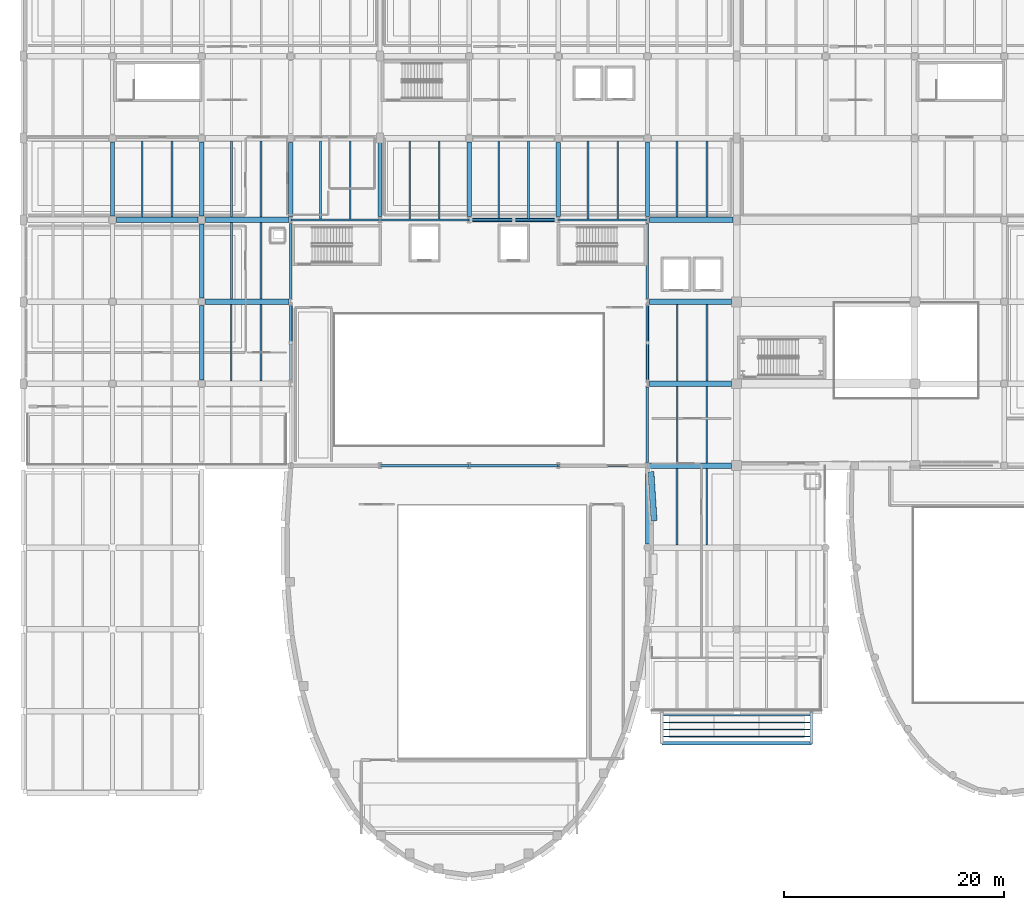
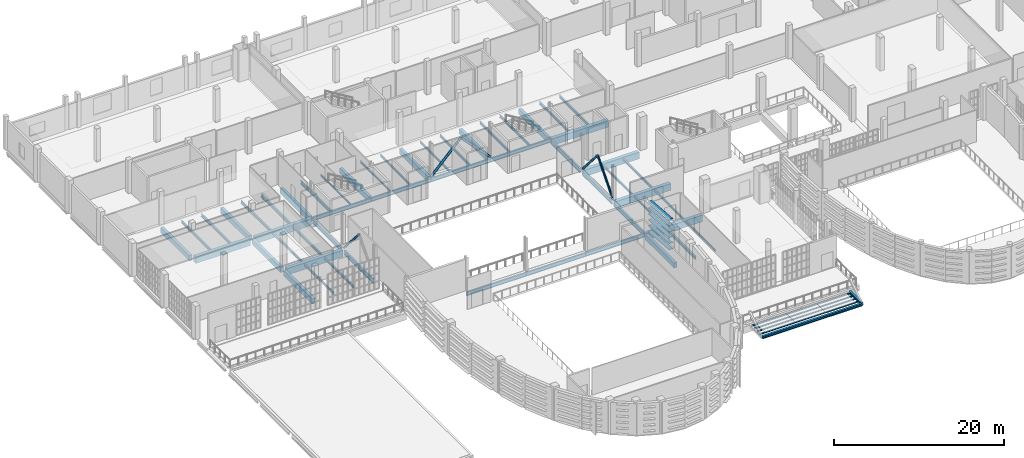
# One storey, part 21 of 104: 55 beams, 15 members.
"""IFC4 building model written with IfcOpenShell, lengths in metres."""

from ifc_helpers import new_model, si_unit, direction, frame, origin, origin_2d, place, context, subcontext, project, spatial, rectangle, hollow_rectangle, hollow_circle, i_section, extrude, material, material_profile, profile_set, type_object, element, save


model = new_model("IFC4")

# Units and contexts
model_context = context("Model", 3, precision=1e-05, world=origin(), true_north=direction((0.0, 1.0)))
body_context = subcontext(model_context, "Body", "Model", "MODEL_VIEW")
ifc_project = project(units=[si_unit("LENGTHUNIT", "METRE"), si_unit("AREAUNIT", "SQUARE_METRE"), si_unit("VOLUMEUNIT", "CUBIC_METRE"), si_unit("PLANEANGLEUNIT", "RADIAN"), si_unit("MASSUNIT", "GRAM", prefix="KILO")], contexts=[model_context])

# Site, building, storey
site_placement = place(None, origin())
site = spatial("IfcSite", under=ifc_project, at=site_placement, CompositionType="ELEMENT")
building_placement = place(site_placement, origin())
building = spatial("IfcBuilding", under=site, at=building_placement, Name="Kaelora Sail Theatre", CompositionType="ELEMENT")
storey_placement = place(building_placement, frame((0.0, 0.0, 5.39990234375)))
storey = spatial("IfcBuildingStorey", under=building, at=storey_placement, Name="L01", CompositionType="ELEMENT", Elevation=5.39990234375)

# Members
ifc_material_1 = material(Name="Anodised aluminium 6063-T6", Category="aluminium")
ifc_material_profile_1 = material_profile(ifc_material_1, hollow_rectangle(XDim=0.550048828125, YDim=0.06494140625, WallThickness=0.00390625, InnerFilletRadius=0.00390625, OuterFilletRadius=0.008056640625, at=origin_2d()), Name="LOUVRE 550x65x4")
ifc_profile_set_1 = profile_set([ifc_material_profile_1], Name="Anodised aluminium 6063-T6")
member_type_1 = type_object("IfcMemberType", Name="ARC-MEM-LVR-300", PredefinedType="USERDEFINED", material=ifc_profile_set_1)
for number, where, z_axis, x_axis, name in (
    (1, (58.51611328125, 60.47021484375, 0.150146484375), (0.064492796424, -0.997918172602, 0.0), (0.997918172602, 0.064492796424, 0.0), "Main Theatre Sail Drum horizontal solar louvre C1-06"),
    (2, (58.51611328125, 60.47021484375, 1.010009765625), (0.064492796424, -0.997918172602, 0.0), (0.997918172602, 0.064492796424, 0.0), "Main Theatre Sail Drum horizontal solar louvre C1-07"),
    (3, (58.51611328125, 60.47021484375, 1.8701171875), (0.064492796424, -0.997918172602, 0.0), (0.997918172602, 0.064492796424, 0.0), "Main Theatre Sail Drum horizontal solar louvre C1-08"),
    (4, (58.51611328125, 60.47021484375, 2.72998046875), (0.064492796424, -0.997918172602, 0.0), (0.997918172602, 0.064492796424, 0.0), "Main Theatre Sail Drum horizontal solar louvre C1-09"),
    (5, (58.51611328125, 60.47021484375, 3.590087890625), (0.064492796424, -0.997918172602, 0.0), (0.997918172602, 0.064492796424, 0.0), "Main Theatre Sail Drum horizontal solar louvre C1-10"),
    (6, (58.51611328125, 60.47021484375, 4.4501953125), (0.064492796424, -0.997918172602, 0.0), (0.997918172602, 0.064492796424, 0.0), "Main Theatre Sail Drum horizontal solar louvre C1-11"),
):
    element("IfcMember", number, at=place(storey_placement, frame(where, z_axis=z_axis, x_axis=x_axis)), inside=storey, type_object=member_type_1, Name=name, ObjectType="LOUVRE", PredefinedType="USERDEFINED", context=body_context, shape_type="SweptSolid", body=[
        extrude(hollow_rectangle(XDim=0.550048828125, YDim=0.06494140625, WallThickness=0.00390625, InnerFilletRadius=0.00390625, OuterFilletRadius=0.008056640625, at=origin_2d()), origin(), (0.0, 0.0, 1.0), 4.470703125),
    ])

# Beams
ifc_material_2 = material(Name="Steel S355", Category="steel")
ifc_material_profile_2 = material_profile(ifc_material_2, i_section(OverallWidth=0.300048828125, OverallDepth=0.35009765625, WebThickness=0.010009765625, FlangeThickness=0.017578125, FilletRadius=0.027099609375, at=origin_2d()), Name="HEA 360")
ifc_profile_set_2 = profile_set([ifc_material_profile_2], Name="Steel S355")
beam_type_1 = type_object("IfcBeamType", Name="STR-BM-BM-HEA360", PredefinedType="USERDEFINED", material=ifc_profile_set_2)
beam_1_placement = place(storey_placement, frame((59.5, 35.800048828125, -0.469970703125), z_axis=(1.0, 0.0, 0.0), x_axis=(0.0, 1.0, 0.0)))
element("IfcBeam", 7, at=beam_1_placement, inside=storey, type_object=beam_type_1, Name="Entrance canopy front fascia girder", ObjectType="GIRDER", PredefinedType="USERDEFINED", context=body_context, shape_type="SweptSolid", body=[
    extrude(i_section(OverallWidth=0.300048828125, OverallDepth=0.35009765625, WebThickness=0.010009765625, FlangeThickness=0.017578125, FilletRadius=0.027099609375, at=origin_2d()), origin(), (0.0, 0.0, 1.0), 13.60009765625),
])
beam_2_placement = place(storey_placement, frame((73.10009765625, 35.800048828125, -0.469970703125), z_axis=(0.0, 1.0, 0.0), x_axis=(-1.0, 0.0, 0.0)))
element("IfcBeam", 8, at=beam_2_placement, inside=storey, type_object=beam_type_1, Name="Entrance canopy side girder E", ObjectType="GIRDER", PredefinedType="USERDEFINED", context=body_context, shape_type="SweptSolid", body=[
    extrude(i_section(OverallWidth=0.300048828125, OverallDepth=0.35009765625, WebThickness=0.010009765625, FlangeThickness=0.017578125, FilletRadius=0.027099609375, at=origin_2d()), origin(), (0.0, 0.0, 1.0), 2.89990234375),
])
ifc_material_3 = material(Name="Steel S355", Category="steel")
ifc_material_profile_3 = material_profile(ifc_material_3, i_section(OverallWidth=0.18994140625, OverallDepth=0.449951171875, WebThickness=0.009521484375, FlangeThickness=0.0146484375, FilletRadius=0.02099609375, at=origin_2d()), Name="IPE 450")
ifc_profile_set_3 = profile_set([ifc_material_profile_3], Name="Steel S355")
beam_type_2 = type_object("IfcBeamType", Name="STR-BM-BM-IPE450", PredefinedType="BEAM", material=ifc_profile_set_3)
beam_3_placement = place(storey_placement, frame((23.10009765625, 83.590087890625, -0.52001953125), z_axis=(0.0, 1.0, 0.0), x_axis=(-1.0, 0.0, 0.0)))
element("IfcBeam", 9, at=beam_3_placement, inside=storey, type_object=beam_type_2, Name="Secondary floor joist 3/L-2 (L01)", PredefinedType="BEAM", context=body_context, shape_type="SweptSolid", body=[
    extrude(i_section(OverallWidth=0.18994140625, OverallDepth=0.449951171875, WebThickness=0.009521484375, FlangeThickness=0.0146484375, FilletRadius=0.02099609375, at=origin_2d()), origin(), (0.0, 0.0, 1.0), 6.93994140625),
])
beam_4_placement = place(storey_placement, frame((28.5, 83.445068359375, -0.52001953125), z_axis=(0.0, 1.0, 0.0), x_axis=(-1.0, 0.0, 0.0)))
element("IfcBeam", 10, at=beam_4_placement, inside=storey, type_object=beam_type_2, Name="Secondary floor joist 4/L-1 (L01)", PredefinedType="BEAM", context=body_context, shape_type="SweptSolid", body=[
    extrude(i_section(OverallWidth=0.18994140625, OverallDepth=0.449951171875, WebThickness=0.009521484375, FlangeThickness=0.0146484375, FilletRadius=0.02099609375, at=origin_2d()), origin(), (0.0, 0.0, 1.0), 7.0849609375),
])
beam_5_placement = place(storey_placement, frame((60.89990234375, 53.830078125, -0.52001953125), z_axis=(0.0, 1.0, 0.0), x_axis=(-1.0, 0.0, 0.0)))
element("IfcBeam", 11, at=beam_5_placement, inside=storey, type_object=beam_type_2, Name="Secondary floor joist 8/H-1 (L01)", PredefinedType="BEAM", context=body_context, shape_type="SweptSolid", body=[
    extrude(i_section(OverallWidth=0.18994140625, OverallDepth=0.449951171875, WebThickness=0.009521484375, FlangeThickness=0.0146484375, FilletRadius=0.02099609375, at=origin_2d()), origin(), (0.0, 0.0, 1.0), 6.93994140625),
])
ifc_material_4 = material(Name="Steel S355", Category="steel")
ifc_material_profile_4 = material_profile(ifc_material_4, i_section(OverallWidth=0.2099609375, OverallDepth=0.550048828125, WebThickness=0.010986328125, FlangeThickness=0.01708984375, FilletRadius=0.02392578125, at=origin_2d()), Name="IPE 550")
ifc_profile_set_4 = profile_set([ifc_material_profile_4], Name="Steel S355")
beam_type_3 = type_object("IfcBeamType", Name="STR-BM-BM-IPE550", PredefinedType="USERDEFINED", material=ifc_profile_set_4)
for number, where, z_axis, x_axis, name in (
    (12, (25.80908203125, 83.340087890625, -0.56982421875), (1.0, 0.0, 0.0), (0.0, 1.0, 0.0), "Primary beam L 4-5 (L01)"),
    (13, (33.908935546875, 61.02001953125, -0.56982421875), (1.0, 0.0, 0.0), (0.0, 1.0, 0.0), "Primary beam I 5-6 (L01)"),
    (14, (33.908935546875, 83.340087890625, -0.56982421875), (1.0, 0.0, 0.0), (0.0, 1.0, 0.0), "Primary beam L 5-6 (L01)"),
    (15, (42.009033203125, 61.02001953125, -0.56982421875), (1.0, 0.0, 0.0), (0.0, 1.0, 0.0), "Primary beam I 6-7 (L01)"),
    (16, (42.009033203125, 83.340087890625, -0.56982421875), (1.0, 0.0, 0.0), (0.0, 1.0, 0.0), "Primary beam L 6-7 (L01)"),
    (17, (50.10888671875, 61.02001953125, -0.56982421875), (1.0, 0.0, 0.0), (0.0, 1.0, 0.0), "Primary beam I 7-8 (L01)"),
    (18, (50.10888671875, 83.340087890625, -0.56982421875), (1.0, 0.0, 0.0), (0.0, 1.0, 0.0), "Primary beam L 7-8 (L01)"),
):
    element("IfcBeam", number, at=place(storey_placement, frame(where, z_axis=z_axis, x_axis=x_axis)), inside=storey, type_object=beam_type_3, Name=name, ObjectType="GIRDER", PredefinedType="USERDEFINED", context=body_context, shape_type="SweptSolid", body=[
        extrude(i_section(OverallWidth=0.2099609375, OverallDepth=0.550048828125, WebThickness=0.010986328125, FlangeThickness=0.01708984375, FilletRadius=0.02392578125, at=origin_2d()), origin(), (0.0, 0.0, 1.0), 8.08203125),
    ])
ifc_material_5 = material(Name="Steel S355", Category="steel")
ifc_material_profile_5 = material_profile(ifc_material_5, i_section(OverallWidth=0.219970703125, OverallDepth=0.60009765625, WebThickness=0.011962890625, FlangeThickness=0.01904296875, FilletRadius=0.02392578125, at=origin_2d()), Name="IPE 600")
ifc_profile_set_5 = profile_set([ifc_material_profile_5], Name="Steel S355")
beam_type_4 = type_object("IfcBeamType", Name="STR-BM-BM-IPE600", PredefinedType="USERDEFINED", material=ifc_profile_set_5)
for number, where, z_axis, x_axis, name in (
    (19, (25.800048828125, 68.760009765625, -0.594970703125), (0.0, 1.0, 0.0), (-1.0, 0.0, 0.0), "Primary beam 4 J-K (L01)"),
    (20, (25.800048828125, 76.199951171875, -0.594970703125), (0.0, 1.0, 0.0), (-1.0, 0.0, 0.0), "Primary beam 4 K-L (L01)"),
):
    element("IfcBeam", number, at=place(storey_placement, frame(where, z_axis=z_axis, x_axis=x_axis)), inside=storey, type_object=beam_type_4, Name=name, ObjectType="GIRDER", PredefinedType="USERDEFINED", context=body_context, shape_type="SweptSolid", body=[
        extrude(i_section(OverallWidth=0.219970703125, OverallDepth=0.60009765625, WebThickness=0.011962890625, FlangeThickness=0.01904296875, FilletRadius=0.02392578125, at=origin_2d()), origin(), (0.0, 0.0, 1.0), 6.840087890625),
    ])
beam_6_placement = place(storey_placement, frame((58.199951171875, 61.320068359375, -0.594970703125), z_axis=(0.0, 1.0, 0.0), x_axis=(-1.0, 0.0, 0.0)))
element("IfcBeam", 21, at=beam_6_placement, inside=storey, type_object=beam_type_4, Name="Primary beam 8 I-J (L01)", ObjectType="GIRDER", PredefinedType="USERDEFINED", context=body_context, shape_type="SweptSolid", body=[
    extrude(i_section(OverallWidth=0.219970703125, OverallDepth=0.60009765625, WebThickness=0.011962890625, FlangeThickness=0.01904296875, FilletRadius=0.02392578125, at=origin_2d()), origin(), (0.0, 0.0, 1.0), 6.83984375),
])
for number, where, z_axis, x_axis, name in (
    (22, (58.199951171875, 68.760009765625, -0.594970703125), (0.0, 1.0, 0.0), (-1.0, 0.0, 0.0), "Primary beam 8 J-K (L01)"),
    (23, (58.199951171875, 76.199951171875, -0.594970703125), (0.0, 1.0, 0.0), (-1.0, 0.0, 0.0), "Primary beam 8 K-L (L01)"),
):
    element("IfcBeam", number, at=place(storey_placement, frame(where, z_axis=z_axis, x_axis=x_axis)), inside=storey, type_object=beam_type_4, Name=name, ObjectType="GIRDER", PredefinedType="USERDEFINED", context=body_context, shape_type="SweptSolid", body=[
        extrude(i_section(OverallWidth=0.219970703125, OverallDepth=0.60009765625, WebThickness=0.011962890625, FlangeThickness=0.01904296875, FilletRadius=0.02392578125, at=origin_2d()), origin(), (0.0, 0.0, 1.0), 6.840087890625),
    ])
ifc_material_6 = material(Name="Concrete C40/50", Category="concrete")
ifc_material_profile_6 = material_profile(ifc_material_6, rectangle(XDim=0.39990234375, YDim=0.75, at=origin_2d()), Name="RC-BM 400x750")
ifc_profile_set_6 = profile_set([ifc_material_profile_6], Name="Concrete C40/50")
beam_type_5 = type_object("IfcBeamType", Name="STR-BM-BM-RC4075", PredefinedType="BEAM", material=ifc_profile_set_6)
for number, where, z_axis, x_axis, name in (
    (24, (9.60009765625, 83.68994140625, -0.669921875), (0.0, 1.0, 0.0), (-1.0, 0.0, 0.0), "Primary beam 2 L-M (L01)"),
    (25, (17.699951171875, 68.81005859375, -0.669921875), (0.0, 1.0, 0.0), (-1.0, 0.0, 0.0), "Primary beam 3 J-K (L01)"),
    (26, (17.699951171875, 76.25, -0.669921875), (0.0, 1.0, 0.0), (-1.0, 0.0, 0.0), "Primary beam 3 K-L (L01)"),
    (27, (17.699951171875, 83.68994140625, -0.669921875), (0.0, 1.0, 0.0), (-1.0, 0.0, 0.0), "Primary beam 3 L-M (L01)"),
    (28, (25.800048828125, 83.639892578125, -0.669921875), (0.0, 1.0, 0.0), (-1.0, 0.0, 0.0), "Primary beam 4 L-M (L01)"),
):
    element("IfcBeam", number, at=place(storey_placement, frame(where, z_axis=z_axis, x_axis=x_axis)), inside=storey, type_object=beam_type_5, Name=name, PredefinedType="BEAM", context=body_context, shape_type="SweptSolid", body=[
        extrude(rectangle(XDim=0.39990234375, YDim=0.75, at=origin_2d()), origin(), (0.0, 0.0, 1.0), 6.739990234375),
    ])
for number, where, z_axis, x_axis, name in (
    (29, (33.89990234375, 83.639892578125, -0.669921875), (0.0, 1.0, 0.0), (-1.0, 0.0, 0.0), "Primary beam 5 L-M (L01)"),
    (30, (42.0, 83.639892578125, -0.669921875), (0.0, 1.0, 0.0), (-1.0, 0.0, 0.0), "Primary beam 6 L-M (L01)"),
):
    element("IfcBeam", number, at=place(storey_placement, frame(where, z_axis=z_axis, x_axis=x_axis)), inside=storey, type_object=beam_type_5, Name=name, PredefinedType="BEAM", context=body_context, shape_type="SweptSolid", body=[
        extrude(rectangle(XDim=0.39990234375, YDim=0.75, at=origin_2d()), origin(), (0.0, 0.0, 1.0), 6.7900390625),
    ])
beam_7_placement = place(storey_placement, frame((50.10009765625, 83.639892578125, -0.669921875), z_axis=(0.0, 1.0, 0.0), x_axis=(-1.0, 0.0, 0.0)))
element("IfcBeam", 31, at=beam_7_placement, inside=storey, type_object=beam_type_5, Name="Primary beam 7 L-M (L01)", PredefinedType="BEAM", context=body_context, shape_type="SweptSolid", body=[
    extrude(rectangle(XDim=0.39990234375, YDim=0.75, at=origin_2d()), origin(), (0.0, 0.0, 1.0), 6.739990234375),
])
beam_8_placement = place(storey_placement, frame((58.199951171875, 53.905029296875, -0.669921875), z_axis=(0.0, 1.0, 0.0), x_axis=(-1.0, 0.0, 0.0)))
element("IfcBeam", 32, at=beam_8_placement, inside=storey, type_object=beam_type_5, Name="Primary beam 8 H-I (L01)", PredefinedType="BEAM", context=body_context, shape_type="SweptSolid", body=[
    extrude(rectangle(XDim=0.39990234375, YDim=0.75, at=origin_2d()), origin(), (0.0, 0.0, 1.0), 6.81494140625),
])
beam_9_placement = place(storey_placement, frame((58.199951171875, 83.639892578125, -0.669921875), z_axis=(0.0, 1.0, 0.0), x_axis=(-1.0, 0.0, 0.0)))
element("IfcBeam", 33, at=beam_9_placement, inside=storey, type_object=beam_type_5, Name="Primary beam 8 L-M (L01)", PredefinedType="BEAM", context=body_context, shape_type="SweptSolid", body=[
    extrude(rectangle(XDim=0.39990234375, YDim=0.75, at=origin_2d()), origin(), (0.0, 0.0, 1.0), 6.7900390625),
])
ifc_material_7 = material(Name="Concrete C45/55", Category="concrete")
ifc_material_profile_7 = material_profile(ifc_material_7, rectangle(XDim=0.5, YDim=0.949951171875, at=origin_2d()), Name="RC-GRD 500x950")
ifc_profile_set_7 = profile_set([ifc_material_profile_7], Name="Concrete C45/55")
beam_type_6 = type_object("IfcBeamType", Name="STR-BM-GR-RC5095", PredefinedType="T_BEAM", material=ifc_profile_set_7)
beam_10_placement = place(storey_placement, frame((9.949951171875, 83.340087890625, -0.77001953125), z_axis=(1.0, 0.0, 0.0), x_axis=(0.0, 1.0, 0.0)))
element("IfcBeam", 34, at=beam_10_placement, inside=storey, type_object=beam_type_6, Name="Primary beam L 2-3 (L01)", PredefinedType="T_BEAM", context=body_context, shape_type="SweptSolid", body=[
    extrude(rectangle(XDim=0.5, YDim=0.949951171875, at=origin_2d()), origin(), (0.0, 0.0, 1.0), 7.400146484375),
])
for number, where, z_axis, x_axis, name in (
    (35, (18.050048828125, 75.89990234375, -0.77001953125), (1.0, 0.0, 0.0), (0.0, 1.0, 0.0), "Primary beam K 3-4 (L01)"),
    (36, (18.050048828125, 83.340087890625, -0.77001953125), (1.0, 0.0, 0.0), (0.0, 1.0, 0.0), "Primary beam L 3-4 (L01)"),
):
    element("IfcBeam", number, at=place(storey_placement, frame(where, z_axis=z_axis, x_axis=x_axis)), inside=storey, type_object=beam_type_6, Name=name, PredefinedType="T_BEAM", context=body_context, shape_type="SweptSolid", body=[
        extrude(rectangle(XDim=0.5, YDim=0.949951171875, at=origin_2d()), origin(), (0.0, 0.0, 1.0), 7.599853515625),
    ])
for number, where, z_axis, x_axis, name in (
    (37, (58.35009765625, 61.02001953125, -0.77001953125), (1.0, 0.0, 0.0), (0.0, 1.0, 0.0), "Primary beam I 8-9 (L01)"),
    (38, (58.35009765625, 68.4599609375, -0.77001953125), (1.0, 0.0, 0.0), (0.0, 1.0, 0.0), "Primary beam J 8-9 (L01)"),
    (39, (58.35009765625, 75.89990234375, -0.77001953125), (1.0, 0.0, 0.0), (0.0, 1.0, 0.0), "Primary beam K 8-9 (L01)"),
):
    element("IfcBeam", number, at=place(storey_placement, frame(where, z_axis=z_axis, x_axis=x_axis)), inside=storey, type_object=beam_type_6, Name=name, PredefinedType="T_BEAM", context=body_context, shape_type="SweptSolid", body=[
        extrude(rectangle(XDim=0.5, YDim=0.949951171875, at=origin_2d()), origin(), (0.0, 0.0, 1.0), 7.5),
    ])
beam_11_placement = place(storey_placement, frame((58.35009765625, 83.340087890625, -0.77001953125), z_axis=(1.0, 0.0, 0.0), x_axis=(0.0, 1.0, 0.0)))
element("IfcBeam", 40, at=beam_11_placement, inside=storey, type_object=beam_type_6, Name="Primary beam L 8-9 (L01)", PredefinedType="T_BEAM", context=body_context, shape_type="SweptSolid", body=[
    extrude(rectangle(XDim=0.5, YDim=0.949951171875, at=origin_2d()), origin(), (0.0, 0.0, 1.0), 7.599853515625),
])
ifc_material_8 = material(Name="Steel S355", Category="steel")
ifc_material_profile_8 = material_profile(ifc_material_8, i_section(OverallWidth=0.135009765625, OverallDepth=0.27001953125, WebThickness=0.006591796875, FlangeThickness=0.01025390625, FilletRadius=0.014892578125, at=origin_2d()), Name="IPE 270")
ifc_profile_set_8 = profile_set([ifc_material_profile_8], Name="Steel S355")
beam_type_7 = type_object("IfcBeamType", Name="STR-BM-JS-IPE270", PredefinedType="JOIST", material=ifc_profile_set_8)
for number, where, z_axis, x_axis, name in (
    (41, (31.199951171875, 83.445068359375, -0.429931640625), (0.0, 1.0, 0.0), (-1.0, 0.0, 0.0), "Secondary floor joist 4/L-2 (L01)"),
    (42, (36.60009765625, 83.445068359375, -0.429931640625), (0.0, 1.0, 0.0), (-1.0, 0.0, 0.0), "Secondary floor joist 5/L-1 (L01)"),
):
    element("IfcBeam", number, at=place(storey_placement, frame(where, z_axis=z_axis, x_axis=x_axis)), inside=storey, type_object=beam_type_7, Name=name, PredefinedType="JOIST", context=body_context, shape_type="SweptSolid", body=[
        extrude(i_section(OverallWidth=0.135009765625, OverallDepth=0.27001953125, WebThickness=0.006591796875, FlangeThickness=0.01025390625, FilletRadius=0.014892578125, at=origin_2d()), origin(), (0.0, 0.0, 1.0), 7.0849609375),
    ])
for number, where, z_axis, x_axis, name in (
    (43, (63.60009765625, 53.830078125, -0.429931640625), (0.0, 1.0, 0.0), (-1.0, 0.0, 0.0), "Secondary floor joist 8/H-2 (L01)"),
    (44, (60.89990234375, 61.27001953125, -0.429931640625), (0.0, 1.0, 0.0), (-1.0, 0.0, 0.0), "Secondary floor joist 8/I-1 (L01)"),
):
    element("IfcBeam", number, at=place(storey_placement, frame(where, z_axis=z_axis, x_axis=x_axis)), inside=storey, type_object=beam_type_7, Name=name, PredefinedType="JOIST", context=body_context, shape_type="SweptSolid", body=[
        extrude(i_section(OverallWidth=0.135009765625, OverallDepth=0.27001953125, WebThickness=0.006591796875, FlangeThickness=0.01025390625, FilletRadius=0.014892578125, at=origin_2d()), origin(), (0.0, 0.0, 1.0), 6.93994140625),
    ])
ifc_material_9 = material(Name="Steel S355", Category="steel")
ifc_material_profile_9 = material_profile(ifc_material_9, i_section(OverallWidth=0.14990234375, OverallDepth=0.300048828125, WebThickness=0.007080078125, FlangeThickness=0.0107421875, FilletRadius=0.014892578125, at=origin_2d()), Name="IPE 300")
ifc_profile_set_9 = profile_set([ifc_material_profile_9], Name="Steel S355")
beam_type_8 = type_object("IfcBeamType", Name="STR-BM-JS-IPE300", PredefinedType="JOIST", material=ifc_profile_set_9)
for number, where, z_axis, x_axis, name in (
    (45, (39.300048828125, 83.445068359375, -0.44482421875), (0.0, 1.0, 0.0), (-1.0, 0.0, 0.0), "Secondary floor joist 5/L-2 (L01)"),
    (46, (44.699951171875, 83.445068359375, -0.44482421875), (0.0, 1.0, 0.0), (-1.0, 0.0, 0.0), "Secondary floor joist 6/L-1 (L01)"),
):
    element("IfcBeam", number, at=place(storey_placement, frame(where, z_axis=z_axis, x_axis=x_axis)), inside=storey, type_object=beam_type_8, Name=name, PredefinedType="JOIST", context=body_context, shape_type="SweptSolid", body=[
        extrude(i_section(OverallWidth=0.14990234375, OverallDepth=0.300048828125, WebThickness=0.007080078125, FlangeThickness=0.0107421875, FilletRadius=0.014892578125, at=origin_2d()), origin(), (0.0, 0.0, 1.0), 7.0849609375),
    ])
for number, where, z_axis, x_axis, name in (
    (47, (63.60009765625, 61.27001953125, -0.44482421875), (0.0, 1.0, 0.0), (-1.0, 0.0, 0.0), "Secondary floor joist 8/I-2 (L01)"),
    (48, (60.89990234375, 68.7099609375, -0.44482421875), (0.0, 1.0, 0.0), (-1.0, 0.0, 0.0), "Secondary floor joist 8/J-1 (L01)"),
):
    element("IfcBeam", number, at=place(storey_placement, frame(where, z_axis=z_axis, x_axis=x_axis)), inside=storey, type_object=beam_type_8, Name=name, PredefinedType="JOIST", context=body_context, shape_type="SweptSolid", body=[
        extrude(i_section(OverallWidth=0.14990234375, OverallDepth=0.300048828125, WebThickness=0.007080078125, FlangeThickness=0.0107421875, FilletRadius=0.014892578125, at=origin_2d()), origin(), (0.0, 0.0, 1.0), 6.93994140625),
    ])
ifc_material_10 = material(Name="Steel S355", Category="steel")
ifc_material_profile_10 = material_profile(ifc_material_10, i_section(OverallWidth=0.159912109375, OverallDepth=0.330078125, WebThickness=0.007568359375, FlangeThickness=0.011474609375, FilletRadius=0.01806640625, at=origin_2d()), Name="IPE 330")
ifc_profile_set_10 = profile_set([ifc_material_profile_10], Name="Steel S355")
beam_type_9 = type_object("IfcBeamType", Name="STR-BM-JS-IPE330", PredefinedType="JOIST", material=ifc_profile_set_10)
beam_12_placement = place(storey_placement, frame((20.39990234375, 68.7099609375, -0.4599609375), z_axis=(0.0, 1.0, 0.0), x_axis=(-1.0, 0.0, 0.0)))
element("IfcBeam", 49, at=beam_12_placement, inside=storey, type_object=beam_type_9, Name="Secondary floor joist 3/J-1 (L01)", PredefinedType="JOIST", context=body_context, shape_type="SweptSolid", body=[
    extrude(i_section(OverallWidth=0.159912109375, OverallDepth=0.330078125, WebThickness=0.007568359375, FlangeThickness=0.011474609375, FilletRadius=0.01806640625, at=origin_2d()), origin(), (0.0, 0.0, 1.0), 6.93994140625),
])
for number, where, z_axis, x_axis, name in (
    (50, (47.39990234375, 83.445068359375, -0.4599609375), (0.0, 1.0, 0.0), (-1.0, 0.0, 0.0), "Secondary floor joist 6/L-2 (L01)"),
    (51, (52.800048828125, 83.445068359375, -0.4599609375), (0.0, 1.0, 0.0), (-1.0, 0.0, 0.0), "Secondary floor joist 7/L-1 (L01)"),
):
    element("IfcBeam", number, at=place(storey_placement, frame(where, z_axis=z_axis, x_axis=x_axis)), inside=storey, type_object=beam_type_9, Name=name, PredefinedType="JOIST", context=body_context, shape_type="SweptSolid", body=[
        extrude(i_section(OverallWidth=0.159912109375, OverallDepth=0.330078125, WebThickness=0.007568359375, FlangeThickness=0.011474609375, FilletRadius=0.01806640625, at=origin_2d()), origin(), (0.0, 0.0, 1.0), 7.0849609375),
    ])
beam_13_placement = place(storey_placement, frame((63.60009765625, 68.7099609375, -0.4599609375), z_axis=(0.0, 1.0, 0.0), x_axis=(-1.0, 0.0, 0.0)))
element("IfcBeam", 52, at=beam_13_placement, inside=storey, type_object=beam_type_9, Name="Secondary floor joist 8/J-2 (L01)", PredefinedType="JOIST", context=body_context, shape_type="SweptSolid", body=[
    extrude(i_section(OverallWidth=0.159912109375, OverallDepth=0.330078125, WebThickness=0.007568359375, FlangeThickness=0.011474609375, FilletRadius=0.01806640625, at=origin_2d()), origin(), (0.0, 0.0, 1.0), 6.93994140625),
])
ifc_material_11 = material(Name="Steel S355", Category="steel")
ifc_material_profile_11 = material_profile(ifc_material_11, i_section(OverallWidth=0.169921875, OverallDepth=0.360107421875, WebThickness=0.008056640625, FlangeThickness=0.0126953125, FilletRadius=0.01806640625, at=origin_2d()), Name="IPE 360")
ifc_profile_set_11 = profile_set([ifc_material_profile_11], Name="Steel S355")
beam_type_10 = type_object("IfcBeamType", Name="STR-BM-JS-IPE360", PredefinedType="JOIST", material=ifc_profile_set_11)
for number, where, z_axis, x_axis, name in (
    (53, (12.300048828125, 83.590087890625, -0.474853515625), (0.0, 1.0, 0.0), (-1.0, 0.0, 0.0), "Secondary floor joist 2/L-1 (L01)"),
    (54, (23.10009765625, 68.7099609375, -0.474853515625), (0.0, 1.0, 0.0), (-1.0, 0.0, 0.0), "Secondary floor joist 3/J-2 (L01)"),
):
    element("IfcBeam", number, at=place(storey_placement, frame(where, z_axis=z_axis, x_axis=x_axis)), inside=storey, type_object=beam_type_10, Name=name, PredefinedType="JOIST", context=body_context, shape_type="SweptSolid", body=[
        extrude(i_section(OverallWidth=0.169921875, OverallDepth=0.360107421875, WebThickness=0.008056640625, FlangeThickness=0.0126953125, FilletRadius=0.01806640625, at=origin_2d()), origin(), (0.0, 0.0, 1.0), 6.93994140625),
    ])
beam_14_placement = place(storey_placement, frame((20.39990234375, 76.14990234375, -0.474853515625), z_axis=(0.0, 1.0, 0.0), x_axis=(-1.0, 0.0, 0.0)))
element("IfcBeam", 55, at=beam_14_placement, inside=storey, type_object=beam_type_10, Name="Secondary floor joist 3/K-1 (L01)", PredefinedType="JOIST", context=body_context, shape_type="SweptSolid", body=[
    extrude(i_section(OverallWidth=0.169921875, OverallDepth=0.360107421875, WebThickness=0.008056640625, FlangeThickness=0.0126953125, FilletRadius=0.01806640625, at=origin_2d()), origin(), (0.0, 0.0, 1.0), 6.940185546875),
])
beam_15_placement = place(storey_placement, frame((55.5, 83.445068359375, -0.474853515625), z_axis=(0.0, 1.0, 0.0), x_axis=(-1.0, 0.0, 0.0)))
element("IfcBeam", 56, at=beam_15_placement, inside=storey, type_object=beam_type_10, Name="Secondary floor joist 7/L-2 (L01)", PredefinedType="JOIST", context=body_context, shape_type="SweptSolid", body=[
    extrude(i_section(OverallWidth=0.169921875, OverallDepth=0.360107421875, WebThickness=0.008056640625, FlangeThickness=0.0126953125, FilletRadius=0.01806640625, at=origin_2d()), origin(), (0.0, 0.0, 1.0), 7.0849609375),
])
beam_16_placement = place(storey_placement, frame((60.89990234375, 83.590087890625, -0.474853515625), z_axis=(0.0, 1.0, 0.0), x_axis=(-1.0, 0.0, 0.0)))
element("IfcBeam", 57, at=beam_16_placement, inside=storey, type_object=beam_type_10, Name="Secondary floor joist 8/L-1 (L01)", PredefinedType="JOIST", context=body_context, shape_type="SweptSolid", body=[
    extrude(i_section(OverallWidth=0.169921875, OverallDepth=0.360107421875, WebThickness=0.008056640625, FlangeThickness=0.0126953125, FilletRadius=0.01806640625, at=origin_2d()), origin(), (0.0, 0.0, 1.0), 6.93994140625),
])
ifc_material_12 = material(Name="Steel S355", Category="steel")
ifc_material_profile_12 = material_profile(ifc_material_12, i_section(OverallWidth=0.179931640625, OverallDepth=0.39990234375, WebThickness=0.008544921875, FlangeThickness=0.013427734375, FilletRadius=0.02099609375, at=origin_2d()), Name="IPE 400")
ifc_profile_set_12 = profile_set([ifc_material_profile_12], Name="Steel S355")
beam_type_11 = type_object("IfcBeamType", Name="STR-BM-JS-IPE400", PredefinedType="JOIST", material=ifc_profile_set_12)
beam_17_placement = place(storey_placement, frame((15.0, 83.590087890625, -0.494873046875), z_axis=(0.0, 1.0, 0.0), x_axis=(-1.0, 0.0, 0.0)))
element("IfcBeam", 58, at=beam_17_placement, inside=storey, type_object=beam_type_11, Name="Secondary floor joist 2/L-2 (L01)", PredefinedType="JOIST", context=body_context, shape_type="SweptSolid", body=[
    extrude(i_section(OverallWidth=0.179931640625, OverallDepth=0.39990234375, WebThickness=0.008544921875, FlangeThickness=0.013427734375, FilletRadius=0.02099609375, at=origin_2d()), origin(), (0.0, 0.0, 1.0), 6.93994140625),
])
beam_18_placement = place(storey_placement, frame((23.10009765625, 76.14990234375, -0.494873046875), z_axis=(0.0, 1.0, 0.0), x_axis=(-1.0, 0.0, 0.0)))
element("IfcBeam", 59, at=beam_18_placement, inside=storey, type_object=beam_type_11, Name="Secondary floor joist 3/K-2 (L01)", PredefinedType="JOIST", context=body_context, shape_type="SweptSolid", body=[
    extrude(i_section(OverallWidth=0.179931640625, OverallDepth=0.39990234375, WebThickness=0.008544921875, FlangeThickness=0.013427734375, FilletRadius=0.02099609375, at=origin_2d()), origin(), (0.0, 0.0, 1.0), 6.940185546875),
])
for number, where, z_axis, x_axis, name in (
    (60, (20.39990234375, 83.590087890625, -0.494873046875), (0.0, 1.0, 0.0), (-1.0, 0.0, 0.0), "Secondary floor joist 3/L-1 (L01)"),
    (61, (63.60009765625, 83.590087890625, -0.494873046875), (0.0, 1.0, 0.0), (-1.0, 0.0, 0.0), "Secondary floor joist 8/L-2 (L01)"),
):
    element("IfcBeam", number, at=place(storey_placement, frame(where, z_axis=z_axis, x_axis=x_axis)), inside=storey, type_object=beam_type_11, Name=name, PredefinedType="JOIST", context=body_context, shape_type="SweptSolid", body=[
        extrude(i_section(OverallWidth=0.179931640625, OverallDepth=0.39990234375, WebThickness=0.008544921875, FlangeThickness=0.013427734375, FilletRadius=0.02099609375, at=origin_2d()), origin(), (0.0, 0.0, 1.0), 6.93994140625),
    ])

# Members
ifc_material_13 = material(Name="Steel S355", Category="steel")
ifc_material_profile_13 = material_profile(ifc_material_13, hollow_circle(Radius=0.136474609375, WallThickness=0.012451171875, at=origin_2d()), Name="CHS 273.0x12.5")
ifc_profile_set_13 = profile_set([ifc_material_profile_13], Name="Steel S355")
member_type_2 = type_object("IfcMemberType", Name="STR-MEM-BR-CHS273", PredefinedType="BRACE", material=ifc_profile_set_13)
for number, where, z_axis, x_axis, name in (
    (62, (25.800048828125, 75.669921875, 0.02001953125), (0.0, -0.656957756991, 0.753927387438), (1.0, 0.0, 0.0), "Fly Tower chevron brace L01 WM2"),
    (63, (58.199951171875, 68.68994140625, 0.02001953125), (0.0, 0.656957756991, 0.753927387438), (-1.0, 0.0, 0.0), "Fly Tower chevron brace L01 EM1"),
    (64, (58.199951171875, 75.669921875, 0.02001953125), (0.0, -0.656957756991, 0.753927387438), (1.0, 0.0, 0.0), "Fly Tower chevron brace L01 EM2"),
):
    element("IfcMember", number, at=place(storey_placement, frame(where, z_axis=z_axis, x_axis=x_axis)), inside=storey, type_object=member_type_2, Name=name, PredefinedType="BRACE", context=body_context, shape_type="SweptSolid", body=[
        extrude(hollow_circle(Radius=0.136474609375, WallThickness=0.012451171875, at=origin_2d()), origin(), (0.0, 0.0, 1.0), 5.312255859375),
    ])
ifc_material_14 = material(Name="Steel S355", Category="steel")
ifc_material_profile_14 = material_profile(ifc_material_14, hollow_circle(Radius=0.161865234375, WallThickness=0.01611328125, at=origin_2d()), Name="CHS 323.9x16.0")
ifc_profile_set_14 = profile_set([ifc_material_profile_14], Name="Steel S355")
member_type_3 = type_object("IfcMemberType", Name="STR-MEM-BR-CHS324", PredefinedType="BRACE", material=ifc_profile_set_14)
member_1_placement = place(storey_placement, frame((42.159912109375, 83.340087890625, 0.02001953125), z_axis=(0.696734261417, 0.0, 0.717329330899), x_axis=(0.0, 1.0, 0.0)))
element("IfcMember", 65, at=member_1_placement, inside=storey, type_object=member_type_3, Name="Fly Tower north chevron brace L01 N3-1", PredefinedType="BRACE", context=body_context, shape_type="SweptSolid", body=[
    extrude(hollow_circle(Radius=0.161865234375, WallThickness=0.01611328125, at=origin_2d()), origin(), (0.0, 0.0, 1.0), 5.58349609375),
])
member_2_placement = place(storey_placement, frame((49.93994140625, 83.340087890625, 0.02001953125), z_axis=(-0.696711760543, 0.0, 0.71735118507), x_axis=(0.0, -1.0, 0.0)))
element("IfcMember", 66, at=member_2_placement, inside=storey, type_object=member_type_3, Name="Fly Tower north chevron brace L01 N3-2", PredefinedType="BRACE", context=body_context, shape_type="SweptSolid", body=[
    extrude(hollow_circle(Radius=0.161865234375, WallThickness=0.01611328125, at=origin_2d()), origin(), (0.0, 0.0, 1.0), 5.583251953125),
])
ifc_material_15 = material(Name="Steel S355", Category="steel")
ifc_material_profile_15 = material_profile(ifc_material_15, i_section(OverallWidth=0.10009765625, OverallDepth=0.199951171875, WebThickness=0.005615234375, FlangeThickness=0.008544921875, FilletRadius=0.011962890625, at=origin_2d()), Name="IPE 200")
ifc_profile_set_15 = profile_set([ifc_material_profile_15], Name="Steel S355")
member_type_4 = type_object("IfcMemberType", Name="STR-MEM-PR-IPE200", PredefinedType="PURLIN", material=ifc_profile_set_15)
for number, where, z_axis, x_axis, name in (
    (67, (59.5, 36.39990234375, -0.39501953125), (1.0, 0.0, 0.0), (0.0, 1.0, 0.0), "Entrance canopy secondary purlin 1"),
    (68, (59.5, 37.050048828125, -0.39501953125), (1.0, 0.0, 0.0), (0.0, 1.0, 0.0), "Entrance canopy secondary purlin 2"),
    (69, (59.5, 37.699951171875, -0.39501953125), (1.0, 0.0, 0.0), (0.0, 1.0, 0.0), "Entrance canopy secondary purlin 3"),
    (70, (59.5, 38.35009765625, -0.39501953125), (1.0, 0.0, 0.0), (0.0, 1.0, 0.0), "Entrance canopy secondary purlin 4"),
):
    element("IfcMember", number, at=place(storey_placement, frame(where, z_axis=z_axis, x_axis=x_axis)), inside=storey, type_object=member_type_4, Name=name, PredefinedType="PURLIN", context=body_context, shape_type="SweptSolid", body=[
        extrude(i_section(OverallWidth=0.10009765625, OverallDepth=0.199951171875, WebThickness=0.005615234375, FlangeThickness=0.008544921875, FilletRadius=0.011962890625, at=origin_2d()), origin(), (0.0, 0.0, 1.0), 13.60009765625),
    ])

save(model, "model.ifc")
